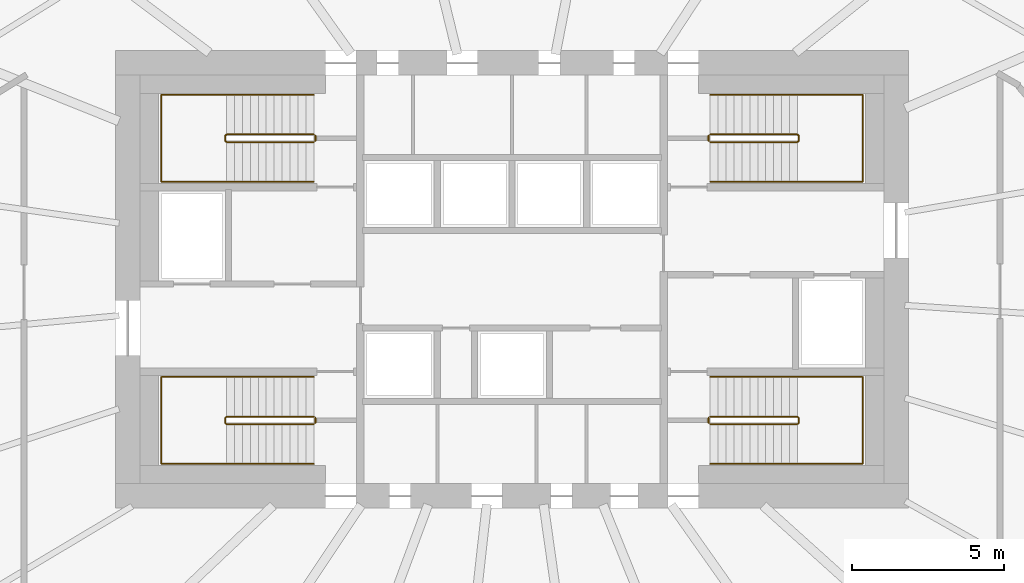
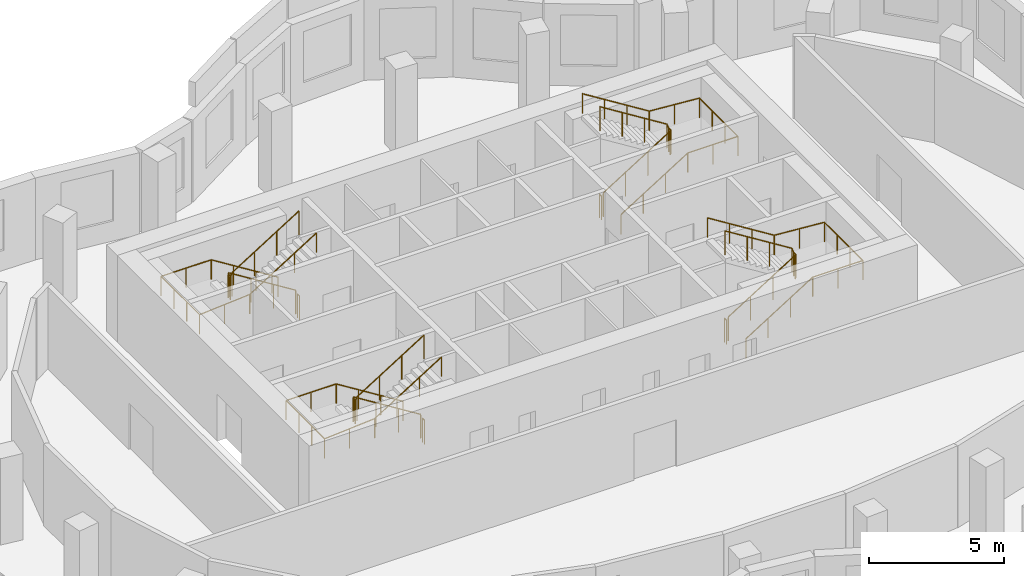
# One storey, part 8 of 8: 12 railings.
"""IFC4 building model written with IfcOpenShell, lengths in metres."""

from ifc_helpers import new_model, si_unit, direction, frame, origin, origin_2d, place, context, subcontext, project, spatial, circle, extrude, material, type_object, element, save


model = new_model("IFC4")

# Units and contexts
model_context = context("Model", 3, precision=1e-05, world=origin(), true_north=direction((0.0, 1.0)))
body_context = subcontext(model_context, "Body", "Model", "MODEL_VIEW")
ifc_project = project(units=[si_unit("LENGTHUNIT", "METRE"), si_unit("AREAUNIT", "SQUARE_METRE"), si_unit("VOLUMEUNIT", "CUBIC_METRE"), si_unit("PLANEANGLEUNIT", "RADIAN"), si_unit("MASSUNIT", "GRAM", prefix="KILO")], contexts=[model_context])

# Site, building, storey
site_placement = place(None, origin())
site = spatial("IfcSite", under=ifc_project, at=site_placement, CompositionType="ELEMENT")
building_placement = place(site_placement, origin())
building = spatial("IfcBuilding", under=site, at=building_placement, Name="Rubra Terraces Tower", CompositionType="ELEMENT")
storey_placement = place(building_placement, frame((0.0, 0.0, 280.5)))
storey = spatial("IfcBuildingStorey", under=building, at=storey_placement, Name="L69", CompositionType="ELEMENT", Elevation=280.5)

# Railings
ifc_material = material(Name="Stainless steel", Category="steel")
railing_type_1 = type_object("IfcRailingType", Name="Core stair guard 1100", PredefinedType="GUARDRAIL", material=ifc_material)
railing_1_placement = place(storey_placement, frame((-6.5, 0.0, 0.16259765625)))
element("IfcRailing", 1, at=railing_1_placement, inside=storey, type_object=railing_type_1, Name="L69 stair S1 guard 1", PredefinedType="GUARDRAIL", context=body_context, shape_type="SweptSolid", body=[
    extrude(circle(Radius=0.02392578125, at=origin_2d()), frame((0.0, 0.0, 1.076171875), z_axis=(-0.848026770018, 0.0, 0.529953391661), x_axis=(0.0, -1.0, 0.0)), (0.0, 0.0, 1.0), 3.37255859375),
    extrude(circle(Radius=0.02392578125, at=origin_2d()), frame((-2.860107421875, 0.0, 2.86328125), z_axis=(-0.705375805398, -0.708833529934, 0.0), x_axis=(0.708833529934, -0.705375805398, 0.0)), (0.0, 0.0, 1.0), 0.070556640625),
    extrude(circle(Radius=0.02392578125, at=origin_2d()), frame((-2.909912109375, -0.050048828125, 2.86328125), z_axis=(0.0, -1.0, 0.0), x_axis=(1.0, 0.0, 0.0)), (0.0, 0.0, 1.0), 0.14990234375),
    extrude(circle(Radius=0.02392578125, at=origin_2d()), frame((-2.909912109375, -0.199951171875, 2.86328125), z_axis=(0.280959487676, -0.282336740067, 0.917250092119), x_axis=(0.708833529934, 0.705375805398, 0.0)), (0.0, 0.0, 1.0), 0.17724609375),
    extrude(circle(Radius=0.02392578125, at=origin_2d()), frame((-2.860107421875, -0.25, 3.02587890625), z_axis=(0.848026770018, 0.0, 0.529953391661), x_axis=(0.0, 1.0, 0.0)), (0.0, 0.0, 1.0), 3.37255859375),
    extrude(circle(Radius=0.02099609375, at=origin_2d()), origin(), (0.0, 0.0, 1.0), 1.052001953125),
    extrude(circle(Radius=0.02099609375, at=origin_2d()), frame((-0.953369140625, 0.0, 0.595703125)), (0.0, 0.0, 1.0), 1.052001953125),
    extrude(circle(Radius=0.02099609375, at=origin_2d()), frame((-1.90673828125, 0.0, 1.191650390625)), (0.0, 0.0, 1.0), 1.052001953125),
    extrude(circle(Radius=0.02099609375, at=origin_2d()), frame((-2.860107421875, 0.0, 1.787353515625)), (0.0, 0.0, 1.0), 1.052001953125),
    extrude(circle(Radius=0.02099609375, at=origin_2d()), frame((-2.909912109375, -0.050048828125, 1.787353515625)), (0.0, 0.0, 1.0), 1.052001953125),
    extrude(circle(Radius=0.02099609375, at=origin_2d()), frame((-2.909912109375, -0.199951171875, 1.787353515625)), (0.0, 0.0, 1.0), 1.052001953125),
    extrude(circle(Radius=0.02099609375, at=origin_2d()), frame((-2.860107421875, -0.25, 1.949951171875)), (0.0, 0.0, 1.0), 1.052001953125),
    extrude(circle(Radius=0.02099609375, at=origin_2d()), frame((-1.90673828125, -0.25, 2.545654296875)), (0.0, 0.0, 1.0), 1.052001953125),
    extrude(circle(Radius=0.02099609375, at=origin_2d()), frame((-0.953369140625, -0.25, 3.1416015625)), (0.0, 0.0, 1.0), 1.052001953125),
    extrude(circle(Radius=0.02099609375, at=origin_2d()), frame((0.0, -0.25, 3.7373046875)), (0.0, 0.0, 1.0), 1.052001953125),
])
railing_2_placement = place(storey_placement, frame((-6.449951171875, -0.050048828125, 0.0)))
element("IfcRailing", 2, at=railing_2_placement, inside=storey, type_object=railing_type_1, Name="L69 stair S1 guard 2", PredefinedType="GUARDRAIL", context=body_context, shape_type="SweptSolid", body=[
    extrude(circle(Radius=0.02392578125, at=origin_2d()), frame((0.0, 0.0, 1.076171875), z_axis=(0.0, -1.0, 0.0), x_axis=(1.0, 0.0, 0.0)), (0.0, 0.0, 1.0), 0.14990234375),
    extrude(circle(Radius=0.02099609375, at=origin_2d()), origin(), (0.0, 0.0, 1.0), 1.052001953125),
    extrude(circle(Radius=0.02099609375, at=origin_2d()), frame((0.0, -0.14990234375, 0.0)), (0.0, 0.0, 1.0), 1.052001953125),
])
railing_3_placement = place(storey_placement, frame((-6.5, 9.25, 0.16259765625)))
element("IfcRailing", 3, at=railing_3_placement, inside=storey, type_object=railing_type_1, Name="L69 stair S2 guard 1", PredefinedType="GUARDRAIL", context=body_context, shape_type="SweptSolid", body=[
    extrude(circle(Radius=0.02392578125, at=origin_2d()), frame((0.0, 0.0, 1.076171875), z_axis=(-0.848026770018, 0.0, 0.529953391661), x_axis=(0.0, -1.0, 0.0)), (0.0, 0.0, 1.0), 3.37255859375),
    extrude(circle(Radius=0.02392578125, at=origin_2d()), frame((-2.860107421875, 0.0, 2.86328125), z_axis=(-0.705375805398, -0.708833529934, 0.0), x_axis=(0.708833529934, -0.705375805398, 0.0)), (0.0, 0.0, 1.0), 0.070556640625),
    extrude(circle(Radius=0.02392578125, at=origin_2d()), frame((-2.909912109375, -0.050048828125, 2.86328125), z_axis=(0.0, -1.0, 0.0), x_axis=(1.0, 0.0, 0.0)), (0.0, 0.0, 1.0), 0.14990234375),
    extrude(circle(Radius=0.02392578125, at=origin_2d()), frame((-2.909912109375, -0.199951171875, 2.86328125), z_axis=(0.280959487676, -0.282336740067, 0.917250092119), x_axis=(0.708833529934, 0.705375805398, 0.0)), (0.0, 0.0, 1.0), 0.17724609375),
    extrude(circle(Radius=0.02392578125, at=origin_2d()), frame((-2.860107421875, -0.25, 3.02587890625), z_axis=(0.848026770018, 0.0, 0.529953391661), x_axis=(0.0, 1.0, 0.0)), (0.0, 0.0, 1.0), 3.37255859375),
    extrude(circle(Radius=0.02099609375, at=origin_2d()), origin(), (0.0, 0.0, 1.0), 1.052001953125),
    extrude(circle(Radius=0.02099609375, at=origin_2d()), frame((-0.953369140625, 0.0, 0.595703125)), (0.0, 0.0, 1.0), 1.052001953125),
    extrude(circle(Radius=0.02099609375, at=origin_2d()), frame((-1.90673828125, 0.0, 1.191650390625)), (0.0, 0.0, 1.0), 1.052001953125),
    extrude(circle(Radius=0.02099609375, at=origin_2d()), frame((-2.860107421875, 0.0, 1.787353515625)), (0.0, 0.0, 1.0), 1.052001953125),
    extrude(circle(Radius=0.02099609375, at=origin_2d()), frame((-2.909912109375, -0.050048828125, 1.787353515625)), (0.0, 0.0, 1.0), 1.052001953125),
    extrude(circle(Radius=0.02099609375, at=origin_2d()), frame((-2.909912109375, -0.199951171875, 1.787353515625)), (0.0, 0.0, 1.0), 1.052001953125),
    extrude(circle(Radius=0.02099609375, at=origin_2d()), frame((-2.860107421875, -0.25, 1.949951171875)), (0.0, 0.0, 1.0), 1.052001953125),
    extrude(circle(Radius=0.02099609375, at=origin_2d()), frame((-1.90673828125, -0.25, 2.545654296875)), (0.0, 0.0, 1.0), 1.052001953125),
    extrude(circle(Radius=0.02099609375, at=origin_2d()), frame((-0.953369140625, -0.25, 3.1416015625)), (0.0, 0.0, 1.0), 1.052001953125),
    extrude(circle(Radius=0.02099609375, at=origin_2d()), frame((0.0, -0.25, 3.7373046875)), (0.0, 0.0, 1.0), 1.052001953125),
])
railing_4_placement = place(storey_placement, frame((-6.449951171875, 9.199951171875, 0.0)))
element("IfcRailing", 4, at=railing_4_placement, inside=storey, type_object=railing_type_1, Name="L69 stair S2 guard 2", PredefinedType="GUARDRAIL", context=body_context, shape_type="SweptSolid", body=[
    extrude(circle(Radius=0.02392578125, at=origin_2d()), frame((0.0, 0.0, 1.076171875), z_axis=(0.0, -1.0, 0.0), x_axis=(1.0, 0.0, 0.0)), (0.0, 0.0, 1.0), 0.14990234375),
    extrude(circle(Radius=0.02099609375, at=origin_2d()), origin(), (0.0, 0.0, 1.0), 1.052001953125),
    extrude(circle(Radius=0.02099609375, at=origin_2d()), frame((0.0, -0.14990234375, 0.0)), (0.0, 0.0, 1.0), 1.052001953125),
])
railing_5_placement = place(storey_placement, frame((6.5, 9.0, 0.16259765625)))
element("IfcRailing", 5, at=railing_5_placement, inside=storey, type_object=railing_type_1, Name="L69 stair S3 guard 1", PredefinedType="GUARDRAIL", context=body_context, shape_type="SweptSolid", body=[
    extrude(circle(Radius=0.02392578125, at=origin_2d()), frame((0.0, 0.0, 1.076171875), z_axis=(0.848026770018, 0.0, 0.529953391661), x_axis=(0.0, 1.0, 0.0)), (0.0, 0.0, 1.0), 3.37255859375),
    extrude(circle(Radius=0.02392578125, at=origin_2d()), frame((2.860107421875, 0.0, 2.86328125), z_axis=(0.705375805398, 0.708833529934, 0.0), x_axis=(-0.708833529934, 0.705375805398, 0.0)), (0.0, 0.0, 1.0), 0.070556640625),
    extrude(circle(Radius=0.02392578125, at=origin_2d()), frame((2.909912109375, 0.050048828125, 2.86328125), z_axis=(0.0, 1.0, 0.0), x_axis=(-1.0, 0.0, 0.0)), (0.0, 0.0, 1.0), 0.14990234375),
    extrude(circle(Radius=0.02392578125, at=origin_2d()), frame((2.909912109375, 0.199951171875, 2.86328125), z_axis=(-0.280959487676, 0.282336740067, 0.917250092119), x_axis=(-0.708833529934, -0.705375805398, 0.0)), (0.0, 0.0, 1.0), 0.17724609375),
    extrude(circle(Radius=0.02392578125, at=origin_2d()), frame((2.860107421875, 0.25, 3.02587890625), z_axis=(-0.848026770018, 0.0, 0.529953391661), x_axis=(0.0, -1.0, 0.0)), (0.0, 0.0, 1.0), 3.37255859375),
    extrude(circle(Radius=0.02099609375, at=origin_2d()), origin(), (0.0, 0.0, 1.0), 1.052001953125),
    extrude(circle(Radius=0.02099609375, at=origin_2d()), frame((0.953369140625, 0.0, 0.595703125)), (0.0, 0.0, 1.0), 1.052001953125),
    extrude(circle(Radius=0.02099609375, at=origin_2d()), frame((1.90673828125, 0.0, 1.191650390625)), (0.0, 0.0, 1.0), 1.052001953125),
    extrude(circle(Radius=0.02099609375, at=origin_2d()), frame((2.860107421875, 0.0, 1.787353515625)), (0.0, 0.0, 1.0), 1.052001953125),
    extrude(circle(Radius=0.02099609375, at=origin_2d()), frame((2.909912109375, 0.050048828125, 1.787353515625)), (0.0, 0.0, 1.0), 1.052001953125),
    extrude(circle(Radius=0.02099609375, at=origin_2d()), frame((2.909912109375, 0.199951171875, 1.787353515625)), (0.0, 0.0, 1.0), 1.052001953125),
    extrude(circle(Radius=0.02099609375, at=origin_2d()), frame((2.860107421875, 0.25, 1.949951171875)), (0.0, 0.0, 1.0), 1.052001953125),
    extrude(circle(Radius=0.02099609375, at=origin_2d()), frame((1.90673828125, 0.25, 2.545654296875)), (0.0, 0.0, 1.0), 1.052001953125),
    extrude(circle(Radius=0.02099609375, at=origin_2d()), frame((0.953369140625, 0.25, 3.1416015625)), (0.0, 0.0, 1.0), 1.052001953125),
    extrude(circle(Radius=0.02099609375, at=origin_2d()), frame((0.0, 0.25, 3.7373046875)), (0.0, 0.0, 1.0), 1.052001953125),
])
railing_6_placement = place(storey_placement, frame((6.449951171875, 9.050048828125, 0.0)))
element("IfcRailing", 6, at=railing_6_placement, inside=storey, type_object=railing_type_1, Name="L69 stair S3 guard 2", PredefinedType="GUARDRAIL", context=body_context, shape_type="SweptSolid", body=[
    extrude(circle(Radius=0.02392578125, at=origin_2d()), frame((0.0, 0.0, 1.076171875), z_axis=(0.0, 1.0, 0.0), x_axis=(-1.0, 0.0, 0.0)), (0.0, 0.0, 1.0), 0.14990234375),
    extrude(circle(Radius=0.02099609375, at=origin_2d()), origin(), (0.0, 0.0, 1.0), 1.052001953125),
    extrude(circle(Radius=0.02099609375, at=origin_2d()), frame((0.0, 0.14990234375, 0.0)), (0.0, 0.0, 1.0), 1.052001953125),
])
railing_7_placement = place(storey_placement, frame((6.5, -0.25, 0.16259765625)))
element("IfcRailing", 7, at=railing_7_placement, inside=storey, type_object=railing_type_1, Name="L69 stair S4 guard 1", PredefinedType="GUARDRAIL", context=body_context, shape_type="SweptSolid", body=[
    extrude(circle(Radius=0.02392578125, at=origin_2d()), frame((0.0, 0.0, 1.076171875), z_axis=(0.848026770018, 0.0, 0.529953391661), x_axis=(0.0, 1.0, 0.0)), (0.0, 0.0, 1.0), 3.37255859375),
    extrude(circle(Radius=0.02392578125, at=origin_2d()), frame((2.860107421875, 0.0, 2.86328125), z_axis=(0.705375805398, 0.708833529934, 0.0), x_axis=(-0.708833529934, 0.705375805398, 0.0)), (0.0, 0.0, 1.0), 0.070556640625),
    extrude(circle(Radius=0.02392578125, at=origin_2d()), frame((2.909912109375, 0.050048828125, 2.86328125), z_axis=(0.0, 1.0, 0.0), x_axis=(-1.0, 0.0, 0.0)), (0.0, 0.0, 1.0), 0.14990234375),
    extrude(circle(Radius=0.02392578125, at=origin_2d()), frame((2.909912109375, 0.199951171875, 2.86328125), z_axis=(-0.280959487676, 0.282336740067, 0.917250092119), x_axis=(-0.708833529934, -0.705375805398, 0.0)), (0.0, 0.0, 1.0), 0.17724609375),
    extrude(circle(Radius=0.02392578125, at=origin_2d()), frame((2.860107421875, 0.25, 3.02587890625), z_axis=(-0.848026770018, 0.0, 0.529953391661), x_axis=(0.0, -1.0, 0.0)), (0.0, 0.0, 1.0), 3.37255859375),
    extrude(circle(Radius=0.02099609375, at=origin_2d()), origin(), (0.0, 0.0, 1.0), 1.052001953125),
    extrude(circle(Radius=0.02099609375, at=origin_2d()), frame((0.953369140625, 0.0, 0.595703125)), (0.0, 0.0, 1.0), 1.052001953125),
    extrude(circle(Radius=0.02099609375, at=origin_2d()), frame((1.90673828125, 0.0, 1.191650390625)), (0.0, 0.0, 1.0), 1.052001953125),
    extrude(circle(Radius=0.02099609375, at=origin_2d()), frame((2.860107421875, 0.0, 1.787353515625)), (0.0, 0.0, 1.0), 1.052001953125),
    extrude(circle(Radius=0.02099609375, at=origin_2d()), frame((2.909912109375, 0.050048828125, 1.787353515625)), (0.0, 0.0, 1.0), 1.052001953125),
    extrude(circle(Radius=0.02099609375, at=origin_2d()), frame((2.909912109375, 0.199951171875, 1.787353515625)), (0.0, 0.0, 1.0), 1.052001953125),
    extrude(circle(Radius=0.02099609375, at=origin_2d()), frame((2.860107421875, 0.25, 1.949951171875)), (0.0, 0.0, 1.0), 1.052001953125),
    extrude(circle(Radius=0.02099609375, at=origin_2d()), frame((1.90673828125, 0.25, 2.545654296875)), (0.0, 0.0, 1.0), 1.052001953125),
    extrude(circle(Radius=0.02099609375, at=origin_2d()), frame((0.953369140625, 0.25, 3.1416015625)), (0.0, 0.0, 1.0), 1.052001953125),
    extrude(circle(Radius=0.02099609375, at=origin_2d()), frame((0.0, 0.25, 3.7373046875)), (0.0, 0.0, 1.0), 1.052001953125),
])
railing_8_placement = place(storey_placement, frame((6.449951171875, -0.199951171875, 0.0)))
element("IfcRailing", 8, at=railing_8_placement, inside=storey, type_object=railing_type_1, Name="L69 stair S4 guard 2", PredefinedType="GUARDRAIL", context=body_context, shape_type="SweptSolid", body=[
    extrude(circle(Radius=0.02392578125, at=origin_2d()), frame((0.0, 0.0, 1.076171875), z_axis=(0.0, 1.0, 0.0), x_axis=(-1.0, 0.0, 0.0)), (0.0, 0.0, 1.0), 0.14990234375),
    extrude(circle(Radius=0.02099609375, at=origin_2d()), origin(), (0.0, 0.0, 1.0), 1.052001953125),
    extrude(circle(Radius=0.02099609375, at=origin_2d()), frame((0.0, 0.14990234375, 0.0)), (0.0, 0.0, 1.0), 1.052001953125),
])
railing_type_2 = type_object("IfcRailingType", Name="Core stair handrail 900", PredefinedType="HANDRAIL", material=ifc_material)
railing_9_placement = place(storey_placement, frame((-6.5, 1.300048828125, 0.16259765625)))
element("IfcRailing", 9, at=railing_9_placement, inside=storey, type_object=railing_type_2, Name="L69 stair S1 handrail 1", PredefinedType="HANDRAIL", context=body_context, shape_type="SweptSolid", body=[
    extrude(circle(Radius=0.02392578125, at=origin_2d()), frame((0.0, 0.0, 0.8759765625), z_axis=(-0.848026770018, 0.0, 0.529953391661), x_axis=(0.0, -1.0, 0.0)), (0.0, 0.0, 1.0), 3.37255859375),
    extrude(circle(Radius=0.02392578125, at=origin_2d()), frame((-2.860107421875, 0.0, 2.6630859375), z_axis=(-1.0, 0.0, 0.0), x_axis=(0.0, -1.0, 0.0)), (0.0, 0.0, 1.0), 2.139892578125),
    extrude(circle(Radius=0.02392578125, at=origin_2d()), frame((-5.0, 0.0, 2.6630859375), z_axis=(0.0, -1.0, 0.0), x_axis=(1.0, 0.0, 0.0)), (0.0, 0.0, 1.0), 2.85009765625),
    extrude(circle(Radius=0.02392578125, at=origin_2d()), frame((-5.0, -2.85009765625, 2.6630859375), z_axis=(0.997125654253, 0.0, 0.075765623016), x_axis=(0.0, 1.0, 0.0)), (0.0, 0.0, 1.0), 2.14599609375),
    extrude(circle(Radius=0.02392578125, at=origin_2d()), frame((-2.860107421875, -2.85009765625, 2.82568359375), z_axis=(0.848026770018, 0.0, 0.529953391661), x_axis=(0.0, 1.0, 0.0)), (0.0, 0.0, 1.0), 3.37255859375),
    extrude(circle(Radius=0.02099609375, at=origin_2d()), origin(), (0.0, 0.0, 1.0), 0.851806640625),
    extrude(circle(Radius=0.02099609375, at=origin_2d()), frame((-0.953369140625, 0.0, 0.595703125)), (0.0, 0.0, 1.0), 0.851806640625),
    extrude(circle(Radius=0.02099609375, at=origin_2d()), frame((-1.90673828125, 0.0, 1.191650390625)), (0.0, 0.0, 1.0), 0.851806640625),
    extrude(circle(Radius=0.02099609375, at=origin_2d()), frame((-2.860107421875, 0.0, 1.787353515625)), (0.0, 0.0, 1.0), 0.851806640625),
    extrude(circle(Radius=0.02099609375, at=origin_2d()), frame((-3.93017578125, 0.0, 1.787353515625)), (0.0, 0.0, 1.0), 0.851806640625),
    extrude(circle(Radius=0.02099609375, at=origin_2d()), frame((-5.0, 0.0, 1.787353515625)), (0.0, 0.0, 1.0), 0.851806640625),
    extrude(circle(Radius=0.02099609375, at=origin_2d()), frame((-5.0, -0.949951171875, 1.787353515625)), (0.0, 0.0, 1.0), 0.851806640625),
    extrude(circle(Radius=0.02099609375, at=origin_2d()), frame((-5.0, -1.900146484375, 1.787353515625)), (0.0, 0.0, 1.0), 0.851806640625),
    extrude(circle(Radius=0.02099609375, at=origin_2d()), frame((-5.0, -2.85009765625, 1.787353515625)), (0.0, 0.0, 1.0), 0.851806640625),
    extrude(circle(Radius=0.02099609375, at=origin_2d()), frame((-3.93017578125, -2.85009765625, 1.86865234375)), (0.0, 0.0, 1.0), 0.851806640625),
    extrude(circle(Radius=0.02099609375, at=origin_2d()), frame((-2.860107421875, -2.85009765625, 1.949951171875)), (0.0, 0.0, 1.0), 0.851806640625),
    extrude(circle(Radius=0.02099609375, at=origin_2d()), frame((-1.90673828125, -2.85009765625, 2.545654296875)), (0.0, 0.0, 1.0), 0.851806640625),
    extrude(circle(Radius=0.02099609375, at=origin_2d()), frame((-0.953369140625, -2.85009765625, 3.1416015625)), (0.0, 0.0, 1.0), 0.851806640625),
    extrude(circle(Radius=0.02099609375, at=origin_2d()), frame((0.0, -2.85009765625, 3.7373046875)), (0.0, 0.0, 1.0), 0.851806640625),
])
railing_10_placement = place(storey_placement, frame((-6.5, 10.550048828125, 0.16259765625)))
element("IfcRailing", 10, at=railing_10_placement, inside=storey, type_object=railing_type_2, Name="L69 stair S2 handrail 1", PredefinedType="HANDRAIL", context=body_context, shape_type="SweptSolid", body=[
    extrude(circle(Radius=0.02392578125, at=origin_2d()), frame((0.0, 0.0, 0.8759765625), z_axis=(-0.848026770018, 0.0, 0.529953391661), x_axis=(0.0, -1.0, 0.0)), (0.0, 0.0, 1.0), 3.37255859375),
    extrude(circle(Radius=0.02392578125, at=origin_2d()), frame((-2.860107421875, 0.0, 2.6630859375), z_axis=(-1.0, 0.0, 0.0), x_axis=(0.0, -1.0, 0.0)), (0.0, 0.0, 1.0), 2.139892578125),
    extrude(circle(Radius=0.02392578125, at=origin_2d()), frame((-5.0, 0.0, 2.6630859375), z_axis=(0.0, -1.0, 0.0), x_axis=(1.0, 0.0, 0.0)), (0.0, 0.0, 1.0), 2.85009765625),
    extrude(circle(Radius=0.02392578125, at=origin_2d()), frame((-5.0, -2.85009765625, 2.6630859375), z_axis=(0.997125654253, 0.0, 0.075765623016), x_axis=(0.0, 1.0, 0.0)), (0.0, 0.0, 1.0), 2.14599609375),
    extrude(circle(Radius=0.02392578125, at=origin_2d()), frame((-2.860107421875, -2.85009765625, 2.82568359375), z_axis=(0.848026770018, 0.0, 0.529953391661), x_axis=(0.0, 1.0, 0.0)), (0.0, 0.0, 1.0), 3.37255859375),
    extrude(circle(Radius=0.02099609375, at=origin_2d()), origin(), (0.0, 0.0, 1.0), 0.851806640625),
    extrude(circle(Radius=0.02099609375, at=origin_2d()), frame((-0.953369140625, 0.0, 0.595703125)), (0.0, 0.0, 1.0), 0.851806640625),
    extrude(circle(Radius=0.02099609375, at=origin_2d()), frame((-1.90673828125, 0.0, 1.191650390625)), (0.0, 0.0, 1.0), 0.851806640625),
    extrude(circle(Radius=0.02099609375, at=origin_2d()), frame((-2.860107421875, 0.0, 1.787353515625)), (0.0, 0.0, 1.0), 0.851806640625),
    extrude(circle(Radius=0.02099609375, at=origin_2d()), frame((-3.93017578125, 0.0, 1.787353515625)), (0.0, 0.0, 1.0), 0.851806640625),
    extrude(circle(Radius=0.02099609375, at=origin_2d()), frame((-5.0, 0.0, 1.787353515625)), (0.0, 0.0, 1.0), 0.851806640625),
    extrude(circle(Radius=0.02099609375, at=origin_2d()), frame((-5.0, -0.949951171875, 1.787353515625)), (0.0, 0.0, 1.0), 0.851806640625),
    extrude(circle(Radius=0.02099609375, at=origin_2d()), frame((-5.0, -1.900146484375, 1.787353515625)), (0.0, 0.0, 1.0), 0.851806640625),
    extrude(circle(Radius=0.02099609375, at=origin_2d()), frame((-5.0, -2.85009765625, 1.787353515625)), (0.0, 0.0, 1.0), 0.851806640625),
    extrude(circle(Radius=0.02099609375, at=origin_2d()), frame((-3.93017578125, -2.85009765625, 1.86865234375)), (0.0, 0.0, 1.0), 0.851806640625),
    extrude(circle(Radius=0.02099609375, at=origin_2d()), frame((-2.860107421875, -2.85009765625, 1.949951171875)), (0.0, 0.0, 1.0), 0.851806640625),
    extrude(circle(Radius=0.02099609375, at=origin_2d()), frame((-1.90673828125, -2.85009765625, 2.545654296875)), (0.0, 0.0, 1.0), 0.851806640625),
    extrude(circle(Radius=0.02099609375, at=origin_2d()), frame((-0.953369140625, -2.85009765625, 3.1416015625)), (0.0, 0.0, 1.0), 0.851806640625),
    extrude(circle(Radius=0.02099609375, at=origin_2d()), frame((0.0, -2.85009765625, 3.7373046875)), (0.0, 0.0, 1.0), 0.851806640625),
])
railing_11_placement = place(storey_placement, frame((6.5, 7.699951171875, 0.16259765625)))
element("IfcRailing", 11, at=railing_11_placement, inside=storey, type_object=railing_type_2, Name="L69 stair S3 handrail 1", PredefinedType="HANDRAIL", context=body_context, shape_type="SweptSolid", body=[
    extrude(circle(Radius=0.02392578125, at=origin_2d()), frame((0.0, 0.0, 0.8759765625), z_axis=(0.848026770018, 0.0, 0.529953391661), x_axis=(0.0, 1.0, 0.0)), (0.0, 0.0, 1.0), 3.37255859375),
    extrude(circle(Radius=0.02392578125, at=origin_2d()), frame((2.860107421875, 0.0, 2.6630859375), z_axis=(1.0, 0.0, 0.0), x_axis=(0.0, 1.0, 0.0)), (0.0, 0.0, 1.0), 2.139892578125),
    extrude(circle(Radius=0.02392578125, at=origin_2d()), frame((5.0, 0.0, 2.6630859375), z_axis=(0.0, 1.0, 0.0), x_axis=(-1.0, 0.0, 0.0)), (0.0, 0.0, 1.0), 2.85009765625),
    extrude(circle(Radius=0.02392578125, at=origin_2d()), frame((5.0, 2.85009765625, 2.6630859375), z_axis=(-0.997125654253, 0.0, 0.075765623016), x_axis=(0.0, -1.0, 0.0)), (0.0, 0.0, 1.0), 2.14599609375),
    extrude(circle(Radius=0.02392578125, at=origin_2d()), frame((2.860107421875, 2.85009765625, 2.82568359375), z_axis=(-0.848026770018, 0.0, 0.529953391661), x_axis=(0.0, -1.0, 0.0)), (0.0, 0.0, 1.0), 3.37255859375),
    extrude(circle(Radius=0.02099609375, at=origin_2d()), origin(), (0.0, 0.0, 1.0), 0.851806640625),
    extrude(circle(Radius=0.02099609375, at=origin_2d()), frame((0.953369140625, 0.0, 0.595703125)), (0.0, 0.0, 1.0), 0.851806640625),
    extrude(circle(Radius=0.02099609375, at=origin_2d()), frame((1.90673828125, 0.0, 1.191650390625)), (0.0, 0.0, 1.0), 0.851806640625),
    extrude(circle(Radius=0.02099609375, at=origin_2d()), frame((2.860107421875, 0.0, 1.787353515625)), (0.0, 0.0, 1.0), 0.851806640625),
    extrude(circle(Radius=0.02099609375, at=origin_2d()), frame((3.93017578125, 0.0, 1.787353515625)), (0.0, 0.0, 1.0), 0.851806640625),
    extrude(circle(Radius=0.02099609375, at=origin_2d()), frame((5.0, 0.0, 1.787353515625)), (0.0, 0.0, 1.0), 0.851806640625),
    extrude(circle(Radius=0.02099609375, at=origin_2d()), frame((5.0, 0.949951171875, 1.787353515625)), (0.0, 0.0, 1.0), 0.851806640625),
    extrude(circle(Radius=0.02099609375, at=origin_2d()), frame((5.0, 1.900146484375, 1.787353515625)), (0.0, 0.0, 1.0), 0.851806640625),
    extrude(circle(Radius=0.02099609375, at=origin_2d()), frame((5.0, 2.85009765625, 1.787353515625)), (0.0, 0.0, 1.0), 0.851806640625),
    extrude(circle(Radius=0.02099609375, at=origin_2d()), frame((3.93017578125, 2.85009765625, 1.86865234375)), (0.0, 0.0, 1.0), 0.851806640625),
    extrude(circle(Radius=0.02099609375, at=origin_2d()), frame((2.860107421875, 2.85009765625, 1.949951171875)), (0.0, 0.0, 1.0), 0.851806640625),
    extrude(circle(Radius=0.02099609375, at=origin_2d()), frame((1.90673828125, 2.85009765625, 2.545654296875)), (0.0, 0.0, 1.0), 0.851806640625),
    extrude(circle(Radius=0.02099609375, at=origin_2d()), frame((0.953369140625, 2.85009765625, 3.1416015625)), (0.0, 0.0, 1.0), 0.851806640625),
    extrude(circle(Radius=0.02099609375, at=origin_2d()), frame((0.0, 2.85009765625, 3.7373046875)), (0.0, 0.0, 1.0), 0.851806640625),
])
railing_12_placement = place(storey_placement, frame((6.5, -1.550048828125, 0.16259765625)))
element("IfcRailing", 12, at=railing_12_placement, inside=storey, type_object=railing_type_2, Name="L69 stair S4 handrail 1", PredefinedType="HANDRAIL", context=body_context, shape_type="SweptSolid", body=[
    extrude(circle(Radius=0.02392578125, at=origin_2d()), frame((0.0, 0.0, 0.8759765625), z_axis=(0.848026770018, 0.0, 0.529953391661), x_axis=(0.0, 1.0, 0.0)), (0.0, 0.0, 1.0), 3.37255859375),
    extrude(circle(Radius=0.02392578125, at=origin_2d()), frame((2.860107421875, 0.0, 2.6630859375), z_axis=(1.0, 0.0, 0.0), x_axis=(0.0, 1.0, 0.0)), (0.0, 0.0, 1.0), 2.139892578125),
    extrude(circle(Radius=0.02392578125, at=origin_2d()), frame((5.0, 0.0, 2.6630859375), z_axis=(0.0, 1.0, 0.0), x_axis=(-1.0, 0.0, 0.0)), (0.0, 0.0, 1.0), 2.85009765625),
    extrude(circle(Radius=0.02392578125, at=origin_2d()), frame((5.0, 2.85009765625, 2.6630859375), z_axis=(-0.997125654253, 0.0, 0.075765623016), x_axis=(0.0, -1.0, 0.0)), (0.0, 0.0, 1.0), 2.14599609375),
    extrude(circle(Radius=0.02392578125, at=origin_2d()), frame((2.860107421875, 2.85009765625, 2.82568359375), z_axis=(-0.848026770018, 0.0, 0.529953391661), x_axis=(0.0, -1.0, 0.0)), (0.0, 0.0, 1.0), 3.37255859375),
    extrude(circle(Radius=0.02099609375, at=origin_2d()), origin(), (0.0, 0.0, 1.0), 0.851806640625),
    extrude(circle(Radius=0.02099609375, at=origin_2d()), frame((0.953369140625, 0.0, 0.595703125)), (0.0, 0.0, 1.0), 0.851806640625),
    extrude(circle(Radius=0.02099609375, at=origin_2d()), frame((1.90673828125, 0.0, 1.191650390625)), (0.0, 0.0, 1.0), 0.851806640625),
    extrude(circle(Radius=0.02099609375, at=origin_2d()), frame((2.860107421875, 0.0, 1.787353515625)), (0.0, 0.0, 1.0), 0.851806640625),
    extrude(circle(Radius=0.02099609375, at=origin_2d()), frame((3.93017578125, 0.0, 1.787353515625)), (0.0, 0.0, 1.0), 0.851806640625),
    extrude(circle(Radius=0.02099609375, at=origin_2d()), frame((5.0, 0.0, 1.787353515625)), (0.0, 0.0, 1.0), 0.851806640625),
    extrude(circle(Radius=0.02099609375, at=origin_2d()), frame((5.0, 0.949951171875, 1.787353515625)), (0.0, 0.0, 1.0), 0.851806640625),
    extrude(circle(Radius=0.02099609375, at=origin_2d()), frame((5.0, 1.900146484375, 1.787353515625)), (0.0, 0.0, 1.0), 0.851806640625),
    extrude(circle(Radius=0.02099609375, at=origin_2d()), frame((5.0, 2.85009765625, 1.787353515625)), (0.0, 0.0, 1.0), 0.851806640625),
    extrude(circle(Radius=0.02099609375, at=origin_2d()), frame((3.93017578125, 2.85009765625, 1.86865234375)), (0.0, 0.0, 1.0), 0.851806640625),
    extrude(circle(Radius=0.02099609375, at=origin_2d()), frame((2.860107421875, 2.85009765625, 1.949951171875)), (0.0, 0.0, 1.0), 0.851806640625),
    extrude(circle(Radius=0.02099609375, at=origin_2d()), frame((1.90673828125, 2.85009765625, 2.545654296875)), (0.0, 0.0, 1.0), 0.851806640625),
    extrude(circle(Radius=0.02099609375, at=origin_2d()), frame((0.953369140625, 2.85009765625, 3.1416015625)), (0.0, 0.0, 1.0), 0.851806640625),
    extrude(circle(Radius=0.02099609375, at=origin_2d()), frame((0.0, 2.85009765625, 3.7373046875)), (0.0, 0.0, 1.0), 0.851806640625),
])

save(model, "model.ifc")
